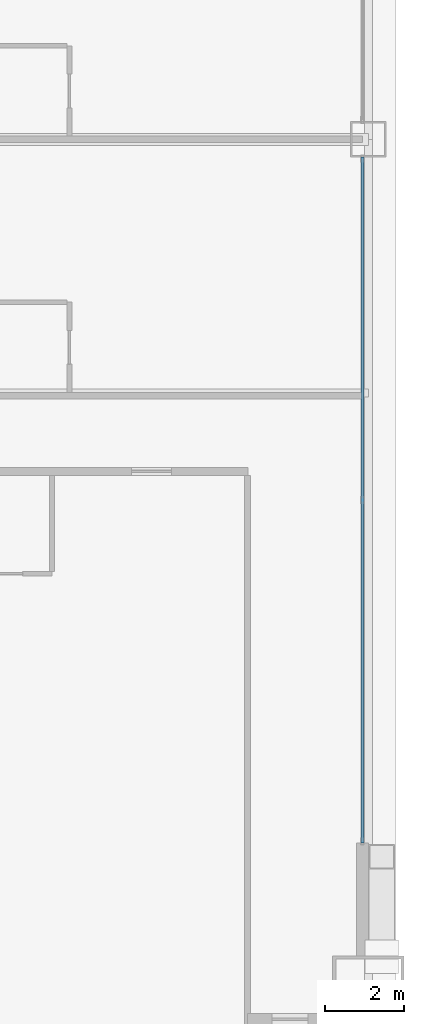
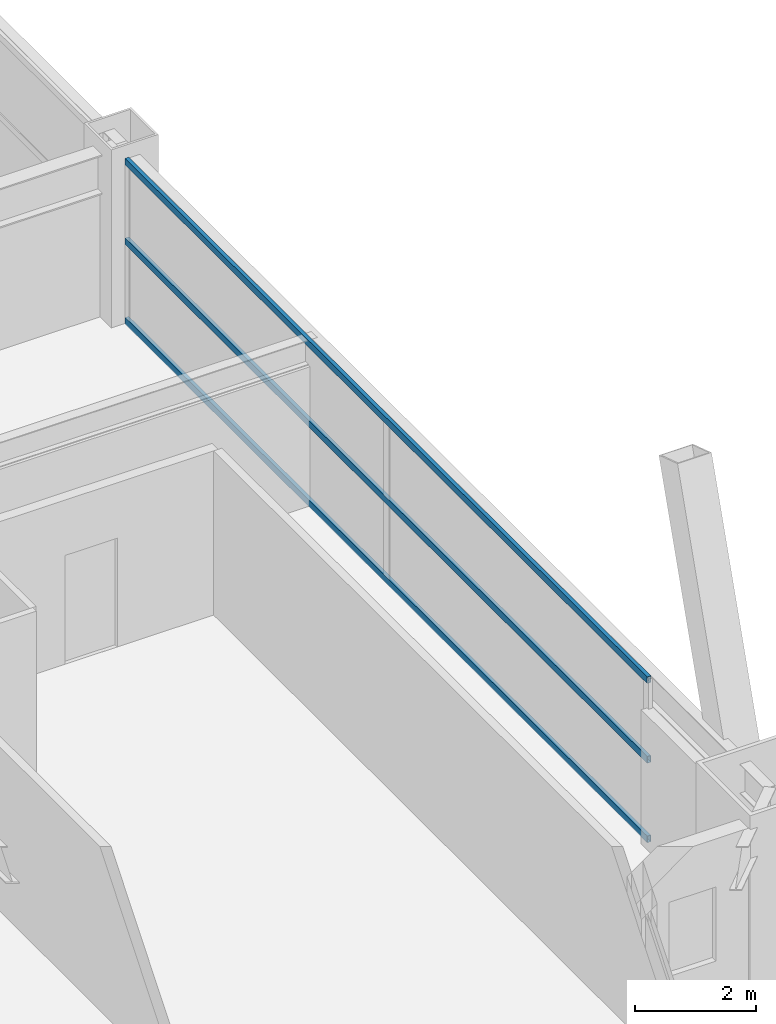
# One storey, part 20 of 43: 3 members, 1 element without a shape of its own.
"""IFC4 building model written with IfcOpenShell, lengths in metres."""

from ifc_helpers import new_model, si_unit, direction, frame, origin, origin_2d, place, context, subcontext, project, spatial, hollow_rectangle, extrude, source, transform, mapped, material, layer, layer_set, material_profile, profile_set, type_object, element, aggregate, save


model = new_model("IFC4")

# Units and contexts
model_context = context("Model", 3, precision=1e-05, world=origin(), true_north=direction((0.0, 1.0)))
body_context = subcontext(model_context, "Body", "Model", "MODEL_VIEW")
ifc_project = project(units=[si_unit("LENGTHUNIT", "METRE"), si_unit("AREAUNIT", "SQUARE_METRE"), si_unit("VOLUMEUNIT", "CUBIC_METRE"), si_unit("PLANEANGLEUNIT", "RADIAN"), si_unit("MASSUNIT", "GRAM", prefix="KILO"), si_unit("THERMODYNAMICTEMPERATUREUNIT", "KELVIN"), si_unit("POWERUNIT", "WATT")], contexts=[model_context])

# Site, building, storey
site_placement = place(None, origin())
site = spatial("IfcSite", under=ifc_project, at=site_placement, CompositionType="ELEMENT")
building_placement = place(site_placement, origin())
building = spatial("IfcBuilding", under=site, at=building_placement, Name="Yuzanri Waterfront Tower", CompositionType="ELEMENT")
storey_placement = place(building_placement, frame((0.0, 0.0, 37.800048828125)))
storey = spatial("IfcBuildingStorey", under=building, at=storey_placement, Name="L09", CompositionType="ELEMENT", Elevation=37.800048828125)

# Curtain wall, members
ifc_material_1 = material(Name="Anodized Architectural Bronze", Category="metal")
ifc_layer = layer(ifc_material_1, 0.159912109375)
ifc_layer_set = layer_set([ifc_layer], Name="Anodized Architectural Bronze")
curtain_wall_type = type_object("IfcCurtainWallType", Name="Anodized Bronze Hotel Lower-Tier Recessed Unitized Curtain Wall 8100", PredefinedType="NOTDEFINED", material=ifc_layer_set)
curtain_wall_placement = place(storey_placement, origin())
curtain_wall = element("IfcCurtainWall", 1, at=curtain_wall_placement, inside=storey, type_object=curtain_wall_type, Name="L09 Curtain Wall CW-L09-EL", PredefinedType="NOTDEFINED")
ifc_material_2 = material(Name="Anodized Architectural Bronze", Category="metal")
ifc_material_profile = material_profile(ifc_material_2, hollow_rectangle(XDim=0.070068359375, YDim=0.135009765625, WallThickness=0.00341796875, at=origin_2d()), Name="CWT 70x135")
ifc_profile_set = profile_set([ifc_material_profile], Name="Anodized Architectural Bronze")
member_type = type_object("IfcMemberType", Name="Anodized Bronze Standard Curtain-Wall Transom 70x135", PredefinedType="USERDEFINED", material=ifc_profile_set)
shared_shape = source(origin(), body_context, "Body", "SweptSolid", [
    extrude(hollow_rectangle(XDim=0.070068359375, YDim=0.135009765625, WallThickness=0.00341796875, at=origin_2d()), origin(), (0.0, 0.0, 1.0), 17.300048828125),
])
member_1_placement = place(storey_placement, frame((61.949951171875, 8.050048828125, 0.050048828125), z_axis=(0.0, 1.0, 0.0), x_axis=(-1.0, 0.0, 0.0)))
member_1 = element("IfcMember", 2, at=member_1_placement, type_object=member_type, Name="CW-L09-EL Transom 1", ObjectType="TRANSOM", PredefinedType="USERDEFINED", context=body_context, shape_type="MappedRepresentation", body=[
    mapped(shared_shape, transform((0.0, 0.0, 0.0), scale=1.0)),
])
member_2_placement = place(storey_placement, frame((61.949951171875, 8.050048828125, 1.659912109375), z_axis=(0.0, 1.0, 0.0), x_axis=(-1.0, 0.0, 0.0)))
member_2 = element("IfcMember", 3, at=member_2_placement, type_object=member_type, Name="CW-L09-EL Transom 2", ObjectType="TRANSOM", PredefinedType="USERDEFINED", context=body_context, shape_type="MappedRepresentation", body=[
    mapped(shared_shape, transform((0.0, 0.0, 0.0), scale=1.0)),
])
member_3_placement = place(storey_placement, frame((61.949951171875, 8.050048828125, 3.27001953125), z_axis=(0.0, 1.0, 0.0), x_axis=(-1.0, 0.0, 0.0)))
member_3 = element("IfcMember", 4, at=member_3_placement, type_object=member_type, Name="CW-L09-EL Transom 3", ObjectType="TRANSOM", PredefinedType="USERDEFINED", context=body_context, shape_type="MappedRepresentation", body=[
    mapped(shared_shape, transform((0.0, 0.0, 0.0), scale=1.0)),
])
aggregate(curtain_wall, [member_1, member_2, member_3])

save(model, "model.ifc")
